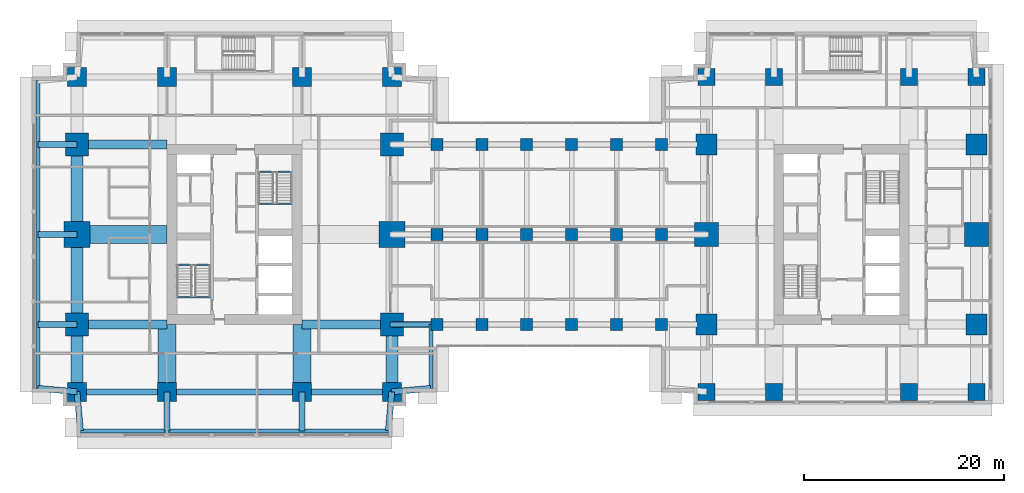
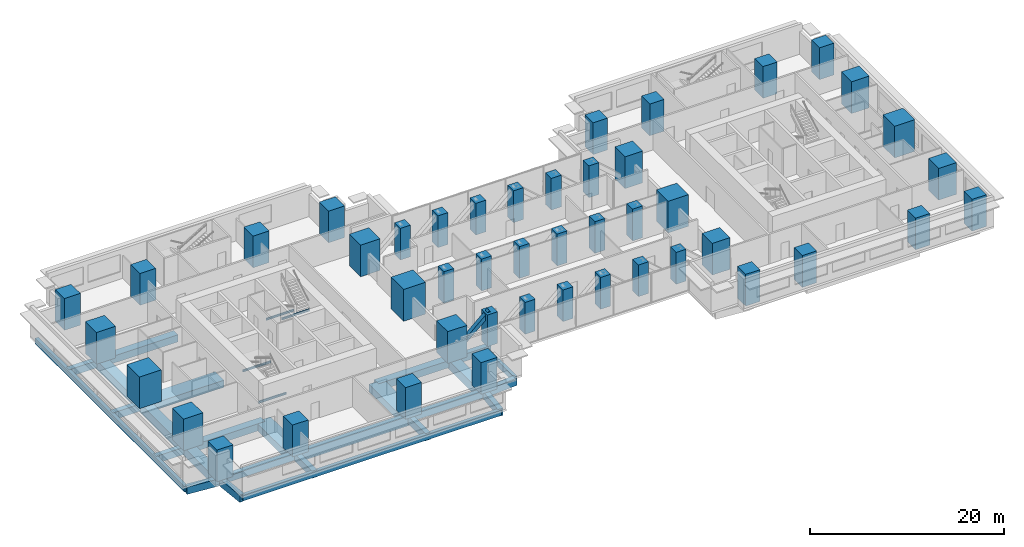
# One storey, part 1 of 16: 46 columns, 30 beams, 1 member.
"""IFC4 building model written with IfcOpenShell, lengths in metres."""

from ifc_helpers import new_model, si_unit, direction, frame, origin, origin_2d, place, context, subcontext, project, spatial, rectangle, hollow_rectangle, i_section, extrude, material, material_profile, profile_set, type_object, element, save


model = new_model("IFC4")

# Units and contexts
model_context = context("Model", 3, precision=1e-05, world=origin(), true_north=direction((0.0, 1.0)))
body_context = subcontext(model_context, "Body", "Model", "MODEL_VIEW")
ifc_project = project(units=[si_unit("LENGTHUNIT", "METRE"), si_unit("AREAUNIT", "SQUARE_METRE"), si_unit("VOLUMEUNIT", "CUBIC_METRE"), si_unit("PLANEANGLEUNIT", "RADIAN"), si_unit("MASSUNIT", "GRAM", prefix="KILO")], contexts=[model_context])

# Site, building, storey
site_placement = place(None, origin())
site = spatial("IfcSite", under=ifc_project, at=site_placement, CompositionType="ELEMENT")
building_placement = place(site_placement, origin())
building = spatial("IfcBuilding", under=site, at=building_placement, Name="Namib Vertical Campus", CompositionType="ELEMENT")
storey_placement = place(building_placement, frame((0.0, 0.0, 113.0)))
storey = spatial("IfcBuildingStorey", under=building, at=storey_placement, Name="L26", CompositionType="ELEMENT", Elevation=113.0)

# Columns
ifc_material_1 = material(Name="Concrete C60/75", Category="concrete")
ifc_material_profile_1 = material_profile(ifc_material_1, rectangle(XDim=1.199951171875, YDim=1.199951171875, at=origin_2d()))
ifc_profile_set_1 = profile_set([ifc_material_profile_1], Name="Concrete C60/75")
column_type_1 = type_object("IfcColumnType", Name="Bridge column RC 1200x1200", PredefinedType="COLUMN", material=ifc_profile_set_1)
for number, where, z_axis, x_axis, name in (
    (1, (40.5, 11.25, 0.0), (0.0, 0.0, 1.0), (1.0, 0.0, 0.0), "Column BC6 L26"),
    (2, (45.0, 11.25, 0.0), (0.0, 0.0, 1.0), (1.0, 0.0, 0.0), "Column BC6 L26"),
    (3, (49.5, 11.25, 0.0), (0.0, 0.0, 1.0), (1.0, 0.0, 0.0), "Column BC6 L26"),
    (4, (54.0, 11.25, 0.0), (0.0, 0.0, 1.0), (1.0, 0.0, 0.0), "Column BC6 L26"),
    (5, (58.5, 11.25, 0.0), (0.0, 0.0, 1.0), (1.0, 0.0, 0.0), "Column BC6 L26"),
    (6, (63.0, 11.25, 0.0), (0.0, 0.0, 1.0), (1.0, 0.0, 0.0), "Column BC6 L26"),
    (7, (40.5, 20.25, 0.0), (0.0, 0.0, 1.0), (1.0, 0.0, 0.0), "Column BC6 L26"),
    (8, (45.0, 20.25, 0.0), (0.0, 0.0, 1.0), (1.0, 0.0, 0.0), "Column BC6 L26"),
    (9, (49.5, 20.25, 0.0), (0.0, 0.0, 1.0), (1.0, 0.0, 0.0), "Column BC6 L26"),
    (10, (54.0, 20.25, 0.0), (0.0, 0.0, 1.0), (1.0, 0.0, 0.0), "Column BC6 L26"),
    (11, (58.5, 20.25, 0.0), (0.0, 0.0, 1.0), (1.0, 0.0, 0.0), "Column BC6 L26"),
    (12, (63.0, 20.25, 0.0), (0.0, 0.0, 1.0), (1.0, 0.0, 0.0), "Column BC6 L26"),
    (13, (40.5, 29.25, 0.0), (0.0, 0.0, 1.0), (1.0, 0.0, 0.0), "Column BC6 L26"),
    (14, (45.0, 29.25, 0.0), (0.0, 0.0, 1.0), (1.0, 0.0, 0.0), "Column BC6 L26"),
    (15, (49.5, 29.25, 0.0), (0.0, 0.0, 1.0), (1.0, 0.0, 0.0), "Column BC6 L26"),
    (16, (54.0, 29.25, 0.0), (0.0, 0.0, 1.0), (1.0, 0.0, 0.0), "Column BC6 L26"),
    (17, (58.5, 29.25, 0.0), (0.0, 0.0, 1.0), (1.0, 0.0, 0.0), "Column BC6 L26"),
    (18, (63.0, 29.25, 0.0), (0.0, 0.0, 1.0), (1.0, 0.0, 0.0), "Column BC6 L26"),
):
    element("IfcColumn", number, at=place(storey_placement, frame(where, z_axis=z_axis, x_axis=x_axis)), inside=storey, type_object=column_type_1, Name=name, PredefinedType="COLUMN", context=body_context, shape_type="SweptSolid", body=[
        extrude(rectangle(XDim=1.199951171875, YDim=1.199951171875, at=origin_2d()), origin(), (0.0, 0.0, 1.0), 4.0),
    ])
ifc_material_2 = material(Name="Concrete C60/75", Category="concrete")
ifc_material_profile_2 = material_profile(ifc_material_2, rectangle(XDim=1.699951171875, YDim=1.699951171875, at=origin_2d()))
ifc_profile_set_2 = profile_set([ifc_material_profile_2], Name="Concrete C60/75")
column_type_2 = type_object("IfcColumnType", Name="Column RC 1700x1700", PredefinedType="COLUMN", material=ifc_profile_set_2)
for number, where, z_axis, x_axis, name in (
    (19, (67.5, 4.5, 0.0), (0.0, 0.0, 1.0), (1.0, 0.0, 0.0), "Column C170 L26"),
    (20, (74.25, 4.5, 0.0), (0.0, 0.0, 1.0), (1.0, 0.0, 0.0), "Column C170 L26"),
    (21, (87.75, 4.5, 0.0), (0.0, 0.0, 1.0), (1.0, 0.0, 0.0), "Column C170 L26"),
    (22, (94.5, 4.5, 0.0), (0.0, 0.0, 1.0), (1.0, 0.0, 0.0), "Column C170 L26"),
    (23, (67.5, 36.0, 0.0), (0.0, 0.0, 1.0), (1.0, 0.0, 0.0), "Column C170 L26"),
    (24, (74.25, 36.0, 0.0), (0.0, 0.0, 1.0), (1.0, 0.0, 0.0), "Column C170 L26"),
    (25, (87.75, 36.0, 0.0), (0.0, 0.0, 1.0), (1.0, 0.0, 0.0), "Column C170 L26"),
    (26, (94.5, 36.0, 0.0), (0.0, 0.0, 1.0), (1.0, 0.0, 0.0), "Column C170 L26"),
):
    element("IfcColumn", number, at=place(storey_placement, frame(where, z_axis=z_axis, x_axis=x_axis)), inside=storey, type_object=column_type_2, Name=name, PredefinedType="COLUMN", context=body_context, shape_type="SweptSolid", body=[
        extrude(rectangle(XDim=1.699951171875, YDim=1.699951171875, at=origin_2d()), origin(), (0.0, 0.0, 1.0), 4.0),
    ])
ifc_material_3 = material(Name="Concrete C60/75", Category="concrete")
ifc_material_profile_3 = material_profile(ifc_material_3, rectangle(XDim=1.89990234375, YDim=1.89990234375, at=origin_2d()))
ifc_profile_set_3 = profile_set([ifc_material_profile_3], Name="Concrete C60/75")
column_type_3 = type_object("IfcColumnType", Name="Column RC 1900x1900", PredefinedType="COLUMN", material=ifc_profile_set_3)
for number, where, z_axis, x_axis, name in (
    (27, (4.5, 4.5, 0.0), (0.0, 0.0, 1.0), (1.0, 0.0, 0.0), "Column C190 L26"),
    (28, (13.5, 4.5, 0.0), (0.0, 0.0, 1.0), (1.0, 0.0, 0.0), "Column C190 L26"),
    (29, (27.0, 4.5, 0.0), (0.0, 0.0, 1.0), (1.0, 0.0, 0.0), "Column C190 L26"),
    (30, (36.0, 4.5, 0.0), (0.0, 0.0, 1.0), (1.0, 0.0, 0.0), "Column C190 L26"),
    (31, (4.5, 36.0, 0.0), (0.0, 0.0, 1.0), (1.0, 0.0, 0.0), "Column C190 L26"),
    (32, (13.5, 36.0, 0.0), (0.0, 0.0, 1.0), (1.0, 0.0, 0.0), "Column C190 L26"),
    (33, (27.0, 36.0, 0.0), (0.0, 0.0, 1.0), (1.0, 0.0, 0.0), "Column C190 L26"),
    (34, (36.0, 36.0, 0.0), (0.0, 0.0, 1.0), (1.0, 0.0, 0.0), "Column C190 L26"),
):
    element("IfcColumn", number, at=place(storey_placement, frame(where, z_axis=z_axis, x_axis=x_axis)), inside=storey, type_object=column_type_3, Name=name, PredefinedType="COLUMN", context=body_context, shape_type="SweptSolid", body=[
        extrude(rectangle(XDim=1.89990234375, YDim=1.89990234375, at=origin_2d()), origin(), (0.0, 0.0, 1.0), 4.0),
    ])
ifc_material_4 = material(Name="Concrete C60/75", Category="concrete")
ifc_material_profile_4 = material_profile(ifc_material_4, rectangle(XDim=2.10009765625, YDim=2.10009765625, at=origin_2d()))
ifc_profile_set_4 = profile_set([ifc_material_profile_4], Name="Concrete C60/75")
column_type_4 = type_object("IfcColumnType", Name="Column RC 2100x2100", PredefinedType="COLUMN", material=ifc_profile_set_4)
for number, where, z_axis, x_axis, name in (
    (35, (67.5, 11.25, 0.0), (0.0, 0.0, 1.0), (1.0, 0.0, 0.0), "Column C210 L26"),
    (36, (94.5, 11.25, 0.0), (0.0, 0.0, 1.0), (1.0, 0.0, 0.0), "Column C210 L26"),
    (37, (67.5, 29.25, 0.0), (0.0, 0.0, 1.0), (1.0, 0.0, 0.0), "Column C210 L26"),
    (38, (94.5, 29.25, 0.0), (0.0, 0.0, 1.0), (1.0, 0.0, 0.0), "Column C210 L26"),
):
    element("IfcColumn", number, at=place(storey_placement, frame(where, z_axis=z_axis, x_axis=x_axis)), inside=storey, type_object=column_type_4, Name=name, PredefinedType="COLUMN", context=body_context, shape_type="SweptSolid", body=[
        extrude(rectangle(XDim=2.10009765625, YDim=2.10009765625, at=origin_2d()), origin(), (0.0, 0.0, 1.0), 4.0),
    ])
ifc_material_5 = material(Name="Concrete C60/75", Category="concrete")
ifc_material_profile_5 = material_profile(ifc_material_5, rectangle(XDim=2.300048828125, YDim=2.300048828125, at=origin_2d()))
ifc_profile_set_5 = profile_set([ifc_material_profile_5], Name="Concrete C60/75")
column_type_5 = type_object("IfcColumnType", Name="Column RC 2300x2300", PredefinedType="COLUMN", material=ifc_profile_set_5)
for number, where, z_axis, x_axis, name in (
    (39, (4.5, 11.25, 0.0), (0.0, 0.0, 1.0), (1.0, 0.0, 0.0), "Column C230 L26"),
    (40, (36.0, 11.25, 0.0), (0.0, 0.0, 1.0), (1.0, 0.0, 0.0), "Column C230 L26"),
    (41, (4.5, 29.25, 0.0), (0.0, 0.0, 1.0), (1.0, 0.0, 0.0), "Column C230 L26"),
    (42, (36.0, 29.25, 0.0), (0.0, 0.0, 1.0), (1.0, 0.0, 0.0), "Column C230 L26"),
):
    element("IfcColumn", number, at=place(storey_placement, frame(where, z_axis=z_axis, x_axis=x_axis)), inside=storey, type_object=column_type_5, Name=name, PredefinedType="COLUMN", context=body_context, shape_type="SweptSolid", body=[
        extrude(rectangle(XDim=2.300048828125, YDim=2.300048828125, at=origin_2d()), origin(), (0.0, 0.0, 1.0), 4.0),
    ])
ifc_material_6 = material(Name="Concrete C60/75", Category="concrete")
ifc_material_profile_6 = material_profile(ifc_material_6, rectangle(XDim=2.39990234375, YDim=2.39990234375, at=origin_2d()))
ifc_profile_set_6 = profile_set([ifc_material_profile_6], Name="Concrete C60/75")
column_type_6 = type_object("IfcColumnType", Name="Column RC 2400x2400", PredefinedType="COLUMN", material=ifc_profile_set_6)
for number, where, z_axis, x_axis, name in (
    (43, (67.5, 20.25, 0.0), (0.0, 0.0, 1.0), (1.0, 0.0, 0.0), "Column C240 L26"),
    (44, (94.5, 20.25, 0.0), (0.0, 0.0, 1.0), (1.0, 0.0, 0.0), "Column C240 L26"),
):
    element("IfcColumn", number, at=place(storey_placement, frame(where, z_axis=z_axis, x_axis=x_axis)), inside=storey, type_object=column_type_6, Name=name, PredefinedType="COLUMN", context=body_context, shape_type="SweptSolid", body=[
        extrude(rectangle(XDim=2.39990234375, YDim=2.39990234375, at=origin_2d()), origin(), (0.0, 0.0, 1.0), 4.0),
    ])
ifc_material_7 = material(Name="Concrete C60/75", Category="concrete")
ifc_material_profile_7 = material_profile(ifc_material_7, rectangle(XDim=2.60009765625, YDim=2.60009765625, at=origin_2d()))
ifc_profile_set_7 = profile_set([ifc_material_profile_7], Name="Concrete C60/75")
column_type_7 = type_object("IfcColumnType", Name="Column RC 2600x2600", PredefinedType="COLUMN", material=ifc_profile_set_7)
for number, where, z_axis, x_axis, name in (
    (45, (4.5, 20.25, 0.0), (0.0, 0.0, 1.0), (1.0, 0.0, 0.0), "Column C260 L26"),
    (46, (36.0, 20.25, 0.0), (0.0, 0.0, 1.0), (1.0, 0.0, 0.0), "Column C260 L26"),
):
    element("IfcColumn", number, at=place(storey_placement, frame(where, z_axis=z_axis, x_axis=x_axis)), inside=storey, type_object=column_type_7, Name=name, PredefinedType="COLUMN", context=body_context, shape_type="SweptSolid", body=[
        extrude(rectangle(XDim=2.60009765625, YDim=2.60009765625, at=origin_2d()), origin(), (0.0, 0.0, 1.0), 4.0),
    ])

# Member
ifc_material_8 = material(Name="Steel S355JR", Category="steel")
ifc_material_profile_8 = material_profile(ifc_material_8, hollow_rectangle(XDim=0.5, YDim=0.5, WallThickness=0.031982421875, at=origin_2d()))
ifc_profile_set_8 = profile_set([ifc_material_profile_8], Name="Steel S355JR")
member_type = type_object("IfcMemberType", Name="Bridge end brace WB 500x500x32", PredefinedType="BRACE", material=ifc_profile_set_8)
member_placement = place(storey_placement, frame((36.0, 11.25, 0.0), z_axis=(0.747409318684, 0.0, 0.66436383883), x_axis=(0.0, 1.0, 0.0)))
element("IfcMember", 47, at=member_placement, inside=storey, type_object=member_type, Name="Bridge brace BX1 L26 T1 bay 1", PredefinedType="BRACE", context=body_context, shape_type="SweptSolid", body=[
    extrude(hollow_rectangle(XDim=0.5, YDim=0.5, WallThickness=0.031982421875, at=origin_2d()), origin(), (0.0, 0.0, 1.0), 6.020751953125),
])

# Beams
ifc_material_9 = material(Name="Steel S355JR", Category="steel")
ifc_material_profile_9 = material_profile(ifc_material_9, hollow_rectangle(XDim=0.60009765625, YDim=0.89990234375, WallThickness=0.050048828125, at=origin_2d()))
ifc_profile_set_9 = profile_set([ifc_material_profile_9], Name="Steel S355JR")
beam_type_1 = type_object("IfcBeamType", Name="Bridge girder WB 900x600x50", PredefinedType="BEAM", material=ifc_profile_set_9)
beam_1_placement = place(storey_placement, frame((36.0, 11.25, -0.699951171875), z_axis=(1.0, 0.0, 0.0), x_axis=(0.0, 1.0, 0.0)))
element("IfcBeam", 48, at=beam_1_placement, inside=storey, type_object=beam_type_1, Name="Bridge girder BG1 L26", PredefinedType="BEAM", context=body_context, shape_type="SweptSolid", body=[
    extrude(hollow_rectangle(XDim=0.60009765625, YDim=0.89990234375, WallThickness=0.050048828125, at=origin_2d()), origin(), (0.0, 0.0, 1.0), 4.5),
])
ifc_material_10 = material(Name="Concrete C40/50", Category="concrete")
ifc_material_profile_10 = material_profile(ifc_material_10, rectangle(XDim=0.60009765625, YDim=0.89990234375, at=origin_2d()))
ifc_profile_set_10 = profile_set([ifc_material_profile_10], Name="Concrete C40/50")
beam_type_2 = type_object("IfcBeamType", Name="Cantilever girder RC 600x900", PredefinedType="BEAM", material=ifc_profile_set_10)
beam_2_placement = place(storey_placement, frame((4.5, 4.5, -0.699951171875), z_axis=(0.089411326146, -0.995994786511, 0.0), x_axis=(0.995994786511, 0.089411326146, 0.0)))
element("IfcBeam", 49, at=beam_2_placement, inside=storey, type_object=beam_type_2, Name="Beam B3 L26", PredefinedType="BEAM", context=body_context, shape_type="SweptSolid", body=[
    extrude(rectangle(XDim=0.60009765625, YDim=0.89990234375, at=origin_2d()), origin(), (0.0, 0.0, 1.0), 3.91552734375),
])
for number, where, z_axis, x_axis, name in (
    (50, (13.5, 4.5, -0.699951171875), (0.0, -1.0, 0.0), (1.0, 0.0, 0.0), "Beam B3 L26"),
    (51, (27.0, 4.5, -0.699951171875), (0.0, -1.0, 0.0), (1.0, 0.0, 0.0), "Beam B3 L26"),
):
    element("IfcBeam", number, at=place(storey_placement, frame(where, z_axis=z_axis, x_axis=x_axis)), inside=storey, type_object=beam_type_2, Name=name, PredefinedType="BEAM", context=body_context, shape_type="SweptSolid", body=[
        extrude(rectangle(XDim=0.60009765625, YDim=0.89990234375, at=origin_2d()), origin(), (0.0, 0.0, 1.0), 3.89990234375),
    ])
for number, where, z_axis, x_axis, name in (
    (52, (36.0, 4.5, -0.699951171875), (-0.089411326146, -0.995994786511, 0.0), (0.995994786511, -0.089411326146, 0.0), "Beam B3 L26"),
    (53, (4.5, 4.5, -0.699951171875), (-0.995994786511, 0.089411326146, 0.0), (-0.089411326146, -0.995994786511, 0.0), "Beam B3 L26"),
):
    element("IfcBeam", number, at=place(storey_placement, frame(where, z_axis=z_axis, x_axis=x_axis)), inside=storey, type_object=beam_type_2, Name=name, PredefinedType="BEAM", context=body_context, shape_type="SweptSolid", body=[
        extrude(rectangle(XDim=0.60009765625, YDim=0.89990234375, at=origin_2d()), origin(), (0.0, 0.0, 1.0), 3.91552734375),
    ])
for number, where, z_axis, x_axis, name in (
    (54, (4.5, 11.25, -0.699951171875), (-1.0, 0.0, 0.0), (0.0, -1.0, 0.0), "Beam B3 L26"),
    (55, (4.5, 20.25, -0.699951171875), (-1.0, 0.0, 0.0), (0.0, -1.0, 0.0), "Beam B3 L26"),
    (56, (4.5, 29.25, -0.699951171875), (-1.0, 0.0, 0.0), (0.0, -1.0, 0.0), "Beam B3 L26"),
):
    element("IfcBeam", number, at=place(storey_placement, frame(where, z_axis=z_axis, x_axis=x_axis)), inside=storey, type_object=beam_type_2, Name=name, PredefinedType="BEAM", context=body_context, shape_type="SweptSolid", body=[
        extrude(rectangle(XDim=0.60009765625, YDim=0.89990234375, at=origin_2d()), origin(), (0.0, 0.0, 1.0), 3.89990234375),
    ])
beam_3_placement = place(storey_placement, frame((36.0, 4.5, -0.699951171875), z_axis=(0.995994786511, 0.089411326146, 0.0), x_axis=(-0.089411326146, 0.995994786511, 0.0)))
element("IfcBeam", 57, at=beam_3_placement, inside=storey, type_object=beam_type_2, Name="Beam B3 L26", PredefinedType="BEAM", context=body_context, shape_type="SweptSolid", body=[
    extrude(rectangle(XDim=0.60009765625, YDim=0.89990234375, at=origin_2d()), origin(), (0.0, 0.0, 1.0), 3.91552734375),
])
ifc_material_11 = material(Name="Concrete C40/50", Category="concrete")
ifc_material_profile_11 = material_profile(ifc_material_11, rectangle(XDim=0.39990234375, YDim=0.699951171875, at=origin_2d()))
ifc_profile_set_11 = profile_set([ifc_material_profile_11], Name="Concrete C40/50")
beam_type_3 = type_object("IfcBeamType", Name="Edge beam RC 400x700", PredefinedType="SPANDREL", material=ifc_profile_set_11)
for number, where, z_axis, x_axis, name in (
    (58, (4.85009765625, 0.60009765625, -0.60009765625), (1.0, 0.0, 0.0), (0.0, 1.0, 0.0), "Beam B4 L26"),
    (59, (0.60009765625, 4.85009765625, -0.60009765625), (0.0, 1.0, 0.0), (-1.0, 0.0, 0.0), "Beam B4 L26"),
):
    element("IfcBeam", number, at=place(storey_placement, frame(where, z_axis=z_axis, x_axis=x_axis)), inside=storey, type_object=beam_type_3, Name=name, PredefinedType="SPANDREL", context=body_context, shape_type="SweptSolid", body=[
        extrude(rectangle(XDim=0.39990234375, YDim=0.699951171875, at=origin_2d()), origin(), (0.0, 0.0, 1.0), 30.7998046875),
    ])
beam_4_placement = place(storey_placement, frame((39.89990234375, 4.85009765625, -0.60009765625), z_axis=(0.0, 1.0, 0.0), x_axis=(-1.0, 0.0, 0.0)))
element("IfcBeam", 60, at=beam_4_placement, inside=storey, type_object=beam_type_3, Name="Beam B4 L26", PredefinedType="SPANDREL", context=body_context, shape_type="SweptSolid", body=[
    extrude(rectangle(XDim=0.39990234375, YDim=0.699951171875, at=origin_2d()), origin(), (0.0, 0.0, 1.0), 6.39990234375),
])
ifc_material_12 = material(Name="Concrete C40/50", Category="concrete")
ifc_material_profile_12 = material_profile(ifc_material_12, rectangle(XDim=0.89990234375, YDim=0.89990234375, at=origin_2d()))
ifc_profile_set_12 = profile_set([ifc_material_profile_12], Name="Concrete C40/50")
beam_type_4 = type_object("IfcBeamType", Name="Face girder RC 900x900", PredefinedType="BEAM", material=ifc_profile_set_12)
for number, where, z_axis, x_axis, name in (
    (61, (4.5, 11.25, -0.699951171875), (1.0, 0.0, 0.0), (0.0, 1.0, 0.0), "Beam B10 L26"),
    (62, (36.0, 11.25, -0.699951171875), (-1.0, 0.0, 0.0), (0.0, -1.0, 0.0), "Beam B10 L26"),
    (63, (4.5, 29.25, -0.699951171875), (1.0, 0.0, 0.0), (0.0, 1.0, 0.0), "Beam B10 L26"),
):
    element("IfcBeam", number, at=place(storey_placement, frame(where, z_axis=z_axis, x_axis=x_axis)), inside=storey, type_object=beam_type_4, Name=name, PredefinedType="BEAM", context=body_context, shape_type="SweptSolid", body=[
        extrude(rectangle(XDim=0.89990234375, YDim=0.89990234375, at=origin_2d()), origin(), (0.0, 0.0, 1.0), 9.0),
    ])
ifc_material_13 = material(Name="Concrete C40/50", Category="concrete")
ifc_material_profile_13 = material_profile(ifc_material_13, rectangle(XDim=1.199951171875, YDim=1.10009765625, at=origin_2d()))
ifc_profile_set_13 = profile_set([ifc_material_profile_13], Name="Concrete C40/50")
beam_type_5 = type_object("IfcBeamType", Name="Face ring beam RC 1200x1100", PredefinedType="BEAM", material=ifc_profile_set_13)
beam_5_placement = place(storey_placement, frame((4.5, 4.5, -0.800048828125), z_axis=(0.0, 1.0, 0.0), x_axis=(-1.0, 0.0, 0.0)))
element("IfcBeam", 64, at=beam_5_placement, inside=storey, type_object=beam_type_5, Name="Beam B11 L26", PredefinedType="BEAM", context=body_context, shape_type="SweptSolid", body=[
    extrude(rectangle(XDim=1.199951171875, YDim=1.10009765625, at=origin_2d()), origin(), (0.0, 0.0, 1.0), 6.75),
])
for number, where, z_axis, x_axis, name in (
    (65, (4.5, 11.25, -0.800048828125), (0.0, 1.0, 0.0), (-1.0, 0.0, 0.0), "Beam B11 L26"),
    (66, (4.5, 20.25, -0.800048828125), (0.0, 1.0, 0.0), (-1.0, 0.0, 0.0), "Beam B11 L26"),
):
    element("IfcBeam", number, at=place(storey_placement, frame(where, z_axis=z_axis, x_axis=x_axis)), inside=storey, type_object=beam_type_5, Name=name, PredefinedType="BEAM", context=body_context, shape_type="SweptSolid", body=[
        extrude(rectangle(XDim=1.199951171875, YDim=1.10009765625, at=origin_2d()), origin(), (0.0, 0.0, 1.0), 9.0),
    ])
beam_6_placement = place(storey_placement, frame((36.0, 4.5, -0.800048828125), z_axis=(0.0, 1.0, 0.0), x_axis=(-1.0, 0.0, 0.0)))
element("IfcBeam", 67, at=beam_6_placement, inside=storey, type_object=beam_type_5, Name="Beam B11 L26", PredefinedType="BEAM", context=body_context, shape_type="SweptSolid", body=[
    extrude(rectangle(XDim=1.199951171875, YDim=1.10009765625, at=origin_2d()), origin(), (0.0, 0.0, 1.0), 6.75),
])
ifc_material_14 = material(Name="Steel S355JR", Category="steel")
ifc_material_profile_14 = material_profile(ifc_material_14, i_section(OverallWidth=0.14599609375, OverallDepth=0.25146484375, WebThickness=0.006103515625, FlangeThickness=0.008544921875, FilletRadius=0.007568359375, at=origin_2d()))
ifc_profile_set_14 = profile_set([ifc_material_profile_14], Name="Steel S355JR")
beam_type_6 = type_object("IfcBeamType", Name="Landing trimmer UB 254x146x31", PredefinedType="BEAM", material=ifc_profile_set_14)
for number, where, z_axis, x_axis, name in (
    (68, (14.5, 13.97705078125, -0.125732421875), (1.0, 0.0, 0.0), (0.0, 1.0, 0.0), "Landing trimmer LT1 A-S1 L26 1"),
    (69, (14.5, 17.203125, 1.874267578125), (1.0, 0.0, 0.0), (0.0, 1.0, 0.0), "Landing trimmer LT1 A-S1 L26 2"),
    (70, (22.64990234375, 26.52294921875, -0.125732421875), (1.0, 0.0, 0.0), (0.0, 1.0, 0.0), "Landing trimmer LT1 A-S2 L26 1"),
    (71, (22.64990234375, 23.296875, 1.874267578125), (1.0, 0.0, 0.0), (0.0, 1.0, 0.0), "Landing trimmer LT1 A-S2 L26 2"),
):
    element("IfcBeam", number, at=place(storey_placement, frame(where, z_axis=z_axis, x_axis=x_axis)), inside=storey, type_object=beam_type_6, Name=name, PredefinedType="BEAM", context=body_context, shape_type="SweptSolid", body=[
        extrude(i_section(OverallWidth=0.14599609375, OverallDepth=0.25146484375, WebThickness=0.006103515625, FlangeThickness=0.008544921875, FilletRadius=0.007568359375, at=origin_2d()), origin(), (0.0, 0.0, 1.0), 3.35009765625),
    ])
ifc_material_15 = material(Name="Concrete C40/50", Category="concrete")
ifc_material_profile_15 = material_profile(ifc_material_15, rectangle(XDim=0.60009765625, YDim=1.199951171875, at=origin_2d()))
ifc_profile_set_15 = profile_set([ifc_material_profile_15], Name="Concrete C40/50")
beam_type_7 = type_object("IfcBeamType", Name="Long-span ring beam RC 600x1200", PredefinedType="BEAM", material=ifc_profile_set_15)
beam_7_placement = place(storey_placement, frame((13.5, 4.5, -0.85009765625), z_axis=(1.0, 0.0, 0.0), x_axis=(0.0, 1.0, 0.0)))
element("IfcBeam", 72, at=beam_7_placement, inside=storey, type_object=beam_type_7, Name="Beam B9 L26", PredefinedType="BEAM", context=body_context, shape_type="SweptSolid", body=[
    extrude(rectangle(XDim=0.60009765625, YDim=1.199951171875, at=origin_2d()), origin(), (0.0, 0.0, 1.0), 13.5),
])
ifc_material_16 = material(Name="Concrete C40/50", Category="concrete")
ifc_material_profile_16 = material_profile(ifc_material_16, rectangle(XDim=1.800048828125, YDim=0.89990234375, at=origin_2d()))
ifc_profile_set_16 = profile_set([ifc_material_profile_16], Name="Concrete C40/50")
beam_type_8 = type_object("IfcBeamType", Name="Outrigger line girder RC 1800x900", PredefinedType="BEAM", material=ifc_profile_set_16)
for number, where, z_axis, x_axis, name in (
    (73, (13.5, 4.5, -0.699951171875), (0.0, 1.0, 0.0), (-1.0, 0.0, 0.0), "Beam B12 L26"),
    (74, (27.0, 4.5, -0.699951171875), (0.0, 1.0, 0.0), (-1.0, 0.0, 0.0), "Beam B12 L26"),
):
    element("IfcBeam", number, at=place(storey_placement, frame(where, z_axis=z_axis, x_axis=x_axis)), inside=storey, type_object=beam_type_8, Name=name, PredefinedType="BEAM", context=body_context, shape_type="SweptSolid", body=[
        extrude(rectangle(XDim=1.800048828125, YDim=0.89990234375, at=origin_2d()), origin(), (0.0, 0.0, 1.0), 6.75),
    ])
beam_8_placement = place(storey_placement, frame((4.5, 20.25, -0.699951171875), z_axis=(1.0, 0.0, 0.0), x_axis=(0.0, 1.0, 0.0)))
element("IfcBeam", 75, at=beam_8_placement, inside=storey, type_object=beam_type_8, Name="Beam B12 L26", PredefinedType="BEAM", context=body_context, shape_type="SweptSolid", body=[
    extrude(rectangle(XDim=1.800048828125, YDim=0.89990234375, at=origin_2d()), origin(), (0.0, 0.0, 1.0), 9.0),
])
ifc_material_17 = material(Name="Concrete C40/50", Category="concrete")
ifc_material_profile_17 = material_profile(ifc_material_17, rectangle(XDim=0.60009765625, YDim=0.800048828125, at=origin_2d()))
ifc_profile_set_17 = profile_set([ifc_material_profile_17], Name="Concrete C40/50")
beam_type_9 = type_object("IfcBeamType", Name="Ring beam RC 600x800", PredefinedType="BEAM", material=ifc_profile_set_17)
for number, where, z_axis, x_axis, name in (
    (76, (4.5, 4.5, -0.64990234375), (1.0, 0.0, 0.0), (0.0, 1.0, 0.0), "Beam B1 L26"),
    (77, (27.0, 4.5, -0.64990234375), (1.0, 0.0, 0.0), (0.0, 1.0, 0.0), "Beam B1 L26"),
):
    element("IfcBeam", number, at=place(storey_placement, frame(where, z_axis=z_axis, x_axis=x_axis)), inside=storey, type_object=beam_type_9, Name=name, PredefinedType="BEAM", context=body_context, shape_type="SweptSolid", body=[
        extrude(rectangle(XDim=0.60009765625, YDim=0.800048828125, at=origin_2d()), origin(), (0.0, 0.0, 1.0), 9.0),
    ])

save(model, "model.ifc")
